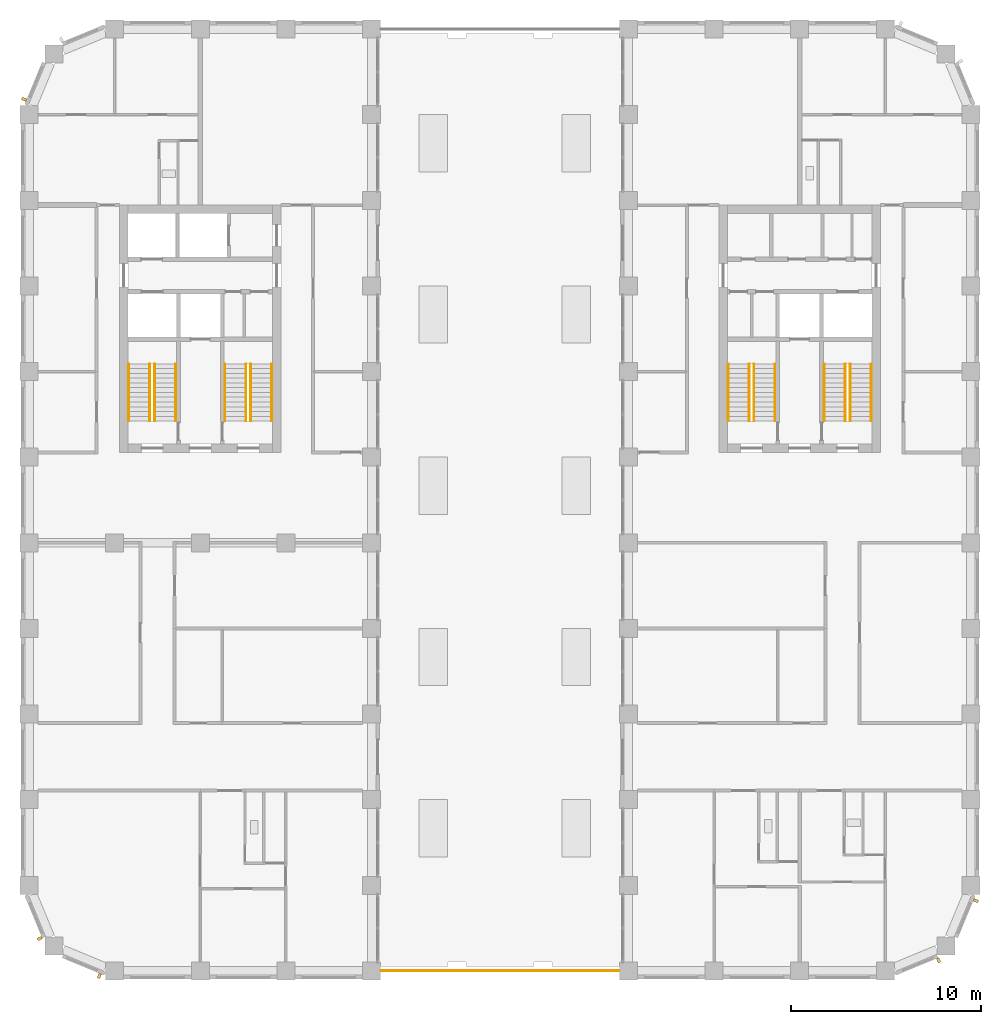
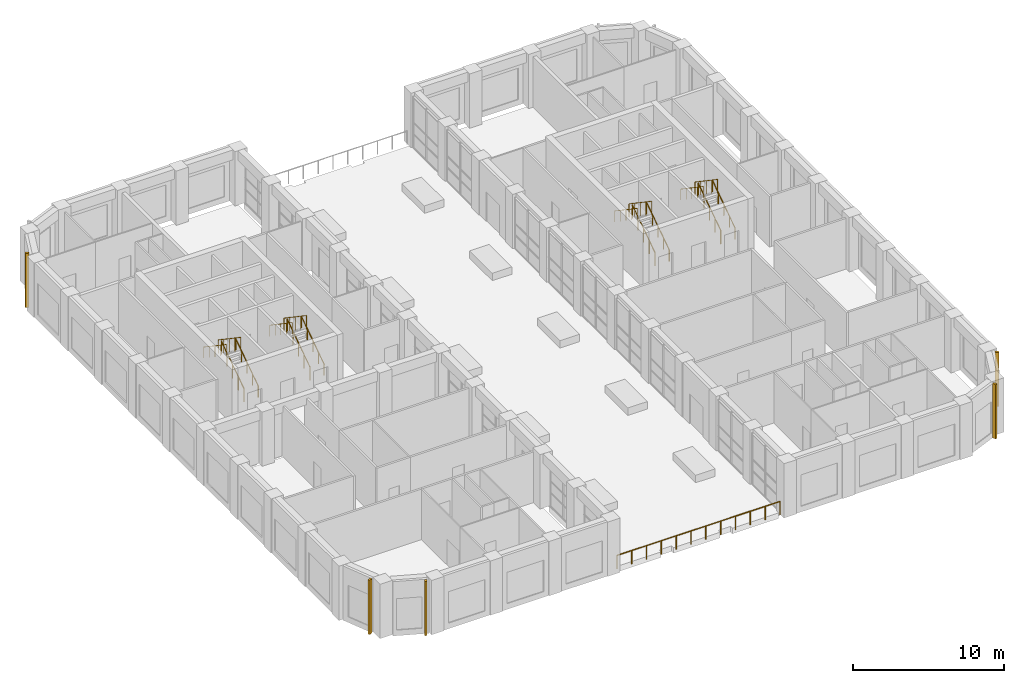
# One storey, part 17 of 20: 17 railings, 5 shading devices.
"""IFC4 building model written with IfcOpenShell, lengths in metres."""

import ifcopenshell
import ifcopenshell.guid

model = None  # the IFC model being written
_history = None  # IfcOwnerHistory: only IFC2X3 demands one
_inside = {}  # id of a spatial element -> (the spatial element, [elements in it])
_under = {}  # id of a project, library or spatial element -> (it, [spatial elements below it])
_declared = {}  # id of a project -> (the project, [libraries it declares])
_typed = {}  # id of a type object -> (the type object, [elements of that type])
_made_of = {}  # id of a material, layer set ... -> (it, [elements and type objects made of it])


def new_model(schema):
    """Start an empty IFC model of exactly this schema.

    Asked for "IFC4X3", IfcOpenShell would pick the latest addendum, in which some entities
    have other attributes; the version numbers below select the first issue.
    IFC2X3 requires an IfcOwnerHistory on every rooted entity: one is made here for all.
    """
    global model, _history
    if schema == "IFC4X3":
        model = ifcopenshell.file(schema_version=(4, 3, 0, 0))
    else:
        model = ifcopenshell.file(schema=schema)
    _inside.clear()
    _under.clear()
    _declared.clear()
    _typed.clear()
    _made_of.clear()
    _history = None
    if model.schema == "IFC2X3":
        org = make("IfcOrganization", Name="unknown")
        user = make(
            "IfcPersonAndOrganization",
            ThePerson=make("IfcPerson", FamilyName="unknown"),
            TheOrganization=org,
        )
        app = make(
            "IfcApplication",
            ApplicationDeveloper=org,
            Version="unknown",
            ApplicationFullName="unknown",
            ApplicationIdentifier="unknown",
        )
        _history = make(
            "IfcOwnerHistory",
            OwningUser=user,
            OwningApplication=app,
            ChangeAction="ADDED",
            CreationDate=0,
        )
    return model


def make(cls, **values):
    """One entity of the class cls with the attributes given. An attribute that is None is left unset."""
    return model.create_entity(
        cls, **{name: value for name, value in values.items() if value is not None}
    )


def rooted(cls, **values):
    """An entity with a GlobalId (a new one), such as an element, a storey or a relation."""
    return make(cls, GlobalId=ifcopenshell.guid.new(), OwnerHistory=_history, **values)


def si_unit(unit_type, name, prefix=None):
    """IfcSIUnit, for example si_unit("LENGTHUNIT", "METRE", prefix="MILLI")."""
    return make("IfcSIUnit", UnitType=unit_type, Prefix=prefix, Name=name)


def assignment(units):
    """IfcUnitAssignment: the units of a project."""
    return None if units is None else make("IfcUnitAssignment", Units=units)


def point(xyz):
    """IfcCartesianPoint."""
    return None if xyz is None else make("IfcCartesianPoint", Coordinates=xyz)


def direction(xyz):
    """IfcDirection."""
    return None if xyz is None else make("IfcDirection", DirectionRatios=xyz)


def frame(location, z_axis=None, x_axis=None):
    """IfcAxis2Placement3D, a coordinate frame: its origin and axes. An axis left out is left unset."""
    return make(
        "IfcAxis2Placement3D",
        Location=point(location),
        Axis=direction(z_axis),
        RefDirection=direction(x_axis),
    )


def frame_2d(location, x_axis=None):
    """IfcAxis2Placement2D, a coordinate frame in the plane: its origin and x axis."""
    return make(
        "IfcAxis2Placement2D", Location=point(location), RefDirection=direction(x_axis)
    )


def origin():
    """The frame at (0, 0, 0) with its axes left unset."""
    return frame((0.0, 0.0, 0.0))


def origin_2d():
    """The frame at (0, 0) in the plane with its x axis left unset."""
    return frame_2d((0.0, 0.0))


def place(relative_to, where):
    """IfcLocalPlacement: puts the frame where relative to a parent placement (None: the world)."""
    return make(
        "IfcLocalPlacement", PlacementRelTo=relative_to, RelativePlacement=where
    )


def context(
    kind, dimensions, precision=None, world=None, true_north=None, identifier=None
):
    """IfcGeometricRepresentationContext, for example the 3D "Model" context."""
    return make(
        "IfcGeometricRepresentationContext",
        ContextIdentifier=identifier,
        ContextType=kind,
        CoordinateSpaceDimension=dimensions,
        Precision=precision,
        WorldCoordinateSystem=world,
        TrueNorth=true_north,
    )


def subcontext(parent, identifier, kind, view, scale=None):
    """IfcGeometricRepresentationSubContext, for example "Body" below "Model"."""
    return make(
        "IfcGeometricRepresentationSubContext",
        ContextIdentifier=identifier,
        ContextType=kind,
        ParentContext=parent,
        TargetScale=scale,
        TargetView=view,
    )


def project(units=None, contexts=None):
    """IfcProject with its units and contexts."""
    return rooted(
        "IfcProject",
        Name="project",
        RepresentationContexts=contexts,
        UnitsInContext=assignment(units),
    )


def spatial(cls, under=None, at=None, **own):
    """A site, building, storey or space (cls), placed at a placement, below another one or the project."""
    s = rooted(cls, ObjectPlacement=at, **own)
    if under is not None:
        _under.setdefault(under.id(), (under, []))[1].append(s)
    return s


def profile(cls, at=None, kind="AREA", **sizes):
    """A parametric profile (cls). Its sizes go by their IFC names, for example OverallWidth=200.0."""
    return make(cls, ProfileType=kind, Position=at, **sizes)


def rectangle(**sizes):
    """IfcRectangleProfileDef."""
    return profile("IfcRectangleProfileDef", **sizes)


def circle(**sizes):
    """IfcCircleProfileDef."""
    return profile("IfcCircleProfileDef", **sizes)


def extrude(swept, where, along, depth):
    """IfcExtrudedAreaSolid: the profile swept, set in the frame where, extruded along a direction by depth."""
    return make(
        "IfcExtrudedAreaSolid",
        SweptArea=swept,
        Position=where,
        ExtrudedDirection=direction(along),
        Depth=depth,
    )


def shape(context_of_items, identifier, shape_type, items):
    """IfcShapeRepresentation: the items that make up one representation, for example the "Body"."""
    return make(
        "IfcShapeRepresentation",
        ContextOfItems=context_of_items,
        RepresentationIdentifier=identifier,
        RepresentationType=shape_type,
        Items=items,
    )


def material(Name=None, Category=None):
    """IfcMaterial."""
    return make("IfcMaterial", Name=Name, Category=Category)


def made_of(thing, what):
    """Note that an element or type object is made of a material, layer set ...; save() writes the relation."""
    if what is not None:
        _made_of.setdefault(what.id(), (what, []))[1].append(thing)
    return thing


def type_object(cls, material=None, **own):
    """A type object (cls), such as IfcWallType, which elements share."""
    return made_of(rooted(cls, **own), material)


def element(
    cls,
    number,
    at=None,
    inside=None,
    cuts=None,
    type_object=None,
    material=None,
    context=None,
    identifier="Body",
    shape_type=None,
    held_by="IfcProductDefinitionShape",
    body=None,
    shapes=None,
    **own,
):
    """One element of the class cls, such as IfcWall. Its Tag is "e" and its number.

    at: its placement. inside: the storey or other place that contains it. cuts: it is an
    opening in that element (IfcRelVoidsElement). A single representation is given by context,
    identifier, shape_type and body (its items); several are given by shapes. held_by: the class
    of the entity that holds the representations. save() writes the other relations.
    """
    e = rooted(cls, Tag="e%d" % number, ObjectPlacement=at, **own)
    if body is not None:
        shapes = [shape(context, identifier, shape_type, body)]
    if shapes is not None:
        e.Representation = make(held_by, Representations=shapes)
    if inside is not None:
        _inside.setdefault(inside.id(), (inside, []))[1].append(e)
    if cuts is not None:
        rooted(
            "IfcRelVoidsElement", RelatingBuildingElement=cuts, RelatedOpeningElement=e
        )
    if type_object is not None:
        _typed.setdefault(type_object.id(), (type_object, []))[1].append(e)
    return made_of(e, material)


def aggregate(whole, parts):
    """IfcRelAggregates: a whole, such as a stair, and the parts it consists of."""
    return rooted("IfcRelAggregates", RelatingObject=whole, RelatedObjects=parts)


def save(model, path):
    """Write the relations noted so far, then the file.

    IfcRelAggregates (storeys below a building ...), IfcRelContainedInSpatialStructure (elements
    in a storey), IfcRelDefinesByType, IfcRelAssociatesMaterial and IfcRelDeclares: one each for
    every whole, place, type object, material and project.
    """
    for whole, parts in _under.values():
        aggregate(whole, parts)
    for where, things in _inside.values():
        rooted(
            "IfcRelContainedInSpatialStructure",
            RelatedElements=things,
            RelatingStructure=where,
        )
    for kind, things in _typed.values():
        rooted("IfcRelDefinesByType", RelatedObjects=things, RelatingType=kind)
    for what, things in _made_of.values():
        rooted("IfcRelAssociatesMaterial", RelatedObjects=things, RelatingMaterial=what)
    for by, libraries in _declared.values():
        rooted("IfcRelDeclares", RelatingContext=by, RelatedDefinitions=libraries)
    model.write(path)


model = new_model("IFC4")

# Units and contexts
model_context = context("Model", 3, precision=1e-05, world=origin(), true_north=direction((0.0, 1.0)))
body_context = subcontext(model_context, "Body", "Model", "MODEL_VIEW")
ifc_project = project(units=[si_unit("LENGTHUNIT", "METRE"), si_unit("AREAUNIT", "SQUARE_METRE"), si_unit("VOLUMEUNIT", "CUBIC_METRE"), si_unit("PLANEANGLEUNIT", "RADIAN"), si_unit("MASSUNIT", "GRAM", prefix="KILO")], contexts=[model_context])

# Site, building, storey
site_placement = place(None, origin())
site = spatial("IfcSite", under=ifc_project, at=site_placement, CompositionType="ELEMENT")
building_placement = place(site_placement, origin())
building = spatial("IfcBuilding", under=site, at=building_placement, Name="Girih Gate Residences", CompositionType="ELEMENT")
storey_placement = place(building_placement, frame((0.0, 0.0, 146.199951171875)))
storey = spatial("IfcBuildingStorey", under=building, at=storey_placement, Name="L41", CompositionType="ELEMENT", Elevation=146.199951171875)

# Shading devices
ifc_material_1 = material(Name="Precast concrete C50/60", Category="concrete")
shading_device_type = type_object("IfcShadingDeviceType", Name="Corner rib 150x250", PredefinedType="USERDEFINED", material=ifc_material_1)
for number, where, z_axis, x_axis, name in (
    (1, (-0.260498046875, 45.808349609375, 0.0), (0.0, 0.0, 1.0), (-0.382683432365, -0.923879532511, 0.0), "Corner rib NW0013_0482.0"),
    (2, (0.562255859375, 1.705322265625, 0.0), (0.0, 0.0, 1.0), (0.382683432365, -0.923879532511, 0.0), "Corner rib SW0000_0045.0"),
    (3, (3.691650390625, -0.260498046875, 0.0), (0.0, 0.0, 1.0), (0.923879532511, -0.382683432365, 0.0), "Corner rib SW0013_0013.0"),
    (4, (47.794677734375, 0.562255859375, 0.0), (0.0, 0.0, 1.0), (0.923879532511, 0.382683432365, 0.0), "Corner rib SE0450_0000.0"),
    (5, (49.760498046875, 3.691650390625, 0.0), (0.0, 0.0, 1.0), (0.382683432365, 0.923879532511, 0.0), "Corner rib SE0482_0013.0"),
):
    element("IfcShadingDevice", number, at=place(storey_placement, frame(where, z_axis=z_axis, x_axis=x_axis)), inside=storey, type_object=shading_device_type, Name=name, ObjectType="FIN", PredefinedType="USERDEFINED", context=body_context, shape_type="SweptSolid", body=[
        extrude(rectangle(XDim=0.14990234375, YDim=0.25, at=origin_2d()), origin(), (0.0, 0.0, 1.0), 4.39990234375),
    ])

# Railings
ifc_material_2 = material(Name="Stainless steel", Category="steel")
railing_type_1 = type_object("IfcRailingType", Name="Stair guard 1100", PredefinedType="GUARDRAIL", material=ifc_material_2)
railing_1_placement = place(storey_placement, frame((6.60009765625, 28.89990234375, 0.169189453125)))
element("IfcRailing", 6, at=railing_1_placement, inside=storey, type_object=railing_type_1, Name="L41 ST-W1 stair guard 1", PredefinedType="GUARDRAIL", context=body_context, shape_type="SweptSolid", body=[
    extrude(circle(Radius=0.02392578125, at=origin_2d()), frame((0.0, 0.0, 1.076171875), z_axis=(0.0, 0.828110434718, 0.560564989908), x_axis=(-1.0, 0.0, 0.0)), (0.0, 0.0, 1.0), 3.622802734375),
    extrude(circle(Radius=0.02099609375, at=origin_2d()), origin(), (0.0, 0.0, 1.0), 1.052001953125),
    extrude(circle(Radius=0.02099609375, at=origin_2d()), frame((0.0, 0.75, 0.5078125)), (0.0, 0.0, 1.0), 1.052001953125),
    extrude(circle(Radius=0.02099609375, at=origin_2d()), frame((0.0, 1.5, 1.015380859375)), (0.0, 0.0, 1.0), 1.052001953125),
    extrude(circle(Radius=0.02099609375, at=origin_2d()), frame((0.0, 2.25, 1.52294921875)), (0.0, 0.0, 1.0), 1.052001953125),
    extrude(circle(Radius=0.02099609375, at=origin_2d()), frame((0.0, 3.0, 2.03076171875)), (0.0, 0.0, 1.0), 1.052001953125),
])
railing_2_placement = place(storey_placement, frame((6.35009765625, 31.89990234375, 2.369384765625)))
element("IfcRailing", 7, at=railing_2_placement, inside=storey, type_object=railing_type_1, Name="L41 ST-W1 stair guard 2", PredefinedType="GUARDRAIL", context=body_context, shape_type="SweptSolid", body=[
    extrude(circle(Radius=0.02392578125, at=origin_2d()), frame((0.0, 0.0, 1.076171875), z_axis=(0.0, -0.828110434718, 0.560564989908), x_axis=(1.0, 0.0, 0.0)), (0.0, 0.0, 1.0), 3.622802734375),
    extrude(circle(Radius=0.02099609375, at=origin_2d()), origin(), (0.0, 0.0, 1.0), 1.052001953125),
    extrude(circle(Radius=0.02099609375, at=origin_2d()), frame((0.0, -0.75, 0.5078125)), (0.0, 0.0, 1.0), 1.052001953125),
    extrude(circle(Radius=0.02099609375, at=origin_2d()), frame((0.0, -1.5, 1.015380859375)), (0.0, 0.0, 1.0), 1.052001953125),
    extrude(circle(Radius=0.02099609375, at=origin_2d()), frame((0.0, -2.25, 1.52294921875)), (0.0, 0.0, 1.0), 1.052001953125),
    extrude(circle(Radius=0.02099609375, at=origin_2d()), frame((0.0, -3.0, 2.03076171875)), (0.0, 0.0, 1.0), 1.052001953125),
])
railing_3_placement = place(storey_placement, frame((11.64990234375, 28.89990234375, 0.169189453125)))
element("IfcRailing", 8, at=railing_3_placement, inside=storey, type_object=railing_type_1, Name="L41 ST-W2 stair guard 1", PredefinedType="GUARDRAIL", context=body_context, shape_type="SweptSolid", body=[
    extrude(circle(Radius=0.02392578125, at=origin_2d()), frame((0.0, 0.0, 1.076171875), z_axis=(0.0, 0.828110434718, 0.560564989908), x_axis=(-1.0, 0.0, 0.0)), (0.0, 0.0, 1.0), 3.622802734375),
    extrude(circle(Radius=0.02099609375, at=origin_2d()), origin(), (0.0, 0.0, 1.0), 1.052001953125),
    extrude(circle(Radius=0.02099609375, at=origin_2d()), frame((0.0, 0.75, 0.5078125)), (0.0, 0.0, 1.0), 1.052001953125),
    extrude(circle(Radius=0.02099609375, at=origin_2d()), frame((0.0, 1.5, 1.015380859375)), (0.0, 0.0, 1.0), 1.052001953125),
    extrude(circle(Radius=0.02099609375, at=origin_2d()), frame((0.0, 2.25, 1.52294921875)), (0.0, 0.0, 1.0), 1.052001953125),
    extrude(circle(Radius=0.02099609375, at=origin_2d()), frame((0.0, 3.0, 2.03076171875)), (0.0, 0.0, 1.0), 1.052001953125),
])
railing_4_placement = place(storey_placement, frame((11.39990234375, 31.89990234375, 2.369384765625)))
element("IfcRailing", 9, at=railing_4_placement, inside=storey, type_object=railing_type_1, Name="L41 ST-W2 stair guard 2", PredefinedType="GUARDRAIL", context=body_context, shape_type="SweptSolid", body=[
    extrude(circle(Radius=0.02392578125, at=origin_2d()), frame((0.0, 0.0, 1.076171875), z_axis=(0.0, -0.828110434718, 0.560564989908), x_axis=(1.0, 0.0, 0.0)), (0.0, 0.0, 1.0), 3.622802734375),
    extrude(circle(Radius=0.02099609375, at=origin_2d()), origin(), (0.0, 0.0, 1.0), 1.052001953125),
    extrude(circle(Radius=0.02099609375, at=origin_2d()), frame((0.0, -0.75, 0.5078125)), (0.0, 0.0, 1.0), 1.052001953125),
    extrude(circle(Radius=0.02099609375, at=origin_2d()), frame((0.0, -1.5, 1.015380859375)), (0.0, 0.0, 1.0), 1.052001953125),
    extrude(circle(Radius=0.02099609375, at=origin_2d()), frame((0.0, -2.25, 1.52294921875)), (0.0, 0.0, 1.0), 1.052001953125),
    extrude(circle(Radius=0.02099609375, at=origin_2d()), frame((0.0, -3.0, 2.03076171875)), (0.0, 0.0, 1.0), 1.052001953125),
])
railing_5_placement = place(storey_placement, frame((43.14990234375, 28.89990234375, 0.169189453125)))
element("IfcRailing", 10, at=railing_5_placement, inside=storey, type_object=railing_type_1, Name="L41 ST-E1 stair guard 1", PredefinedType="GUARDRAIL", context=body_context, shape_type="SweptSolid", body=[
    extrude(circle(Radius=0.02392578125, at=origin_2d()), frame((0.0, 0.0, 1.076171875), z_axis=(0.0, 0.828110434718, 0.560564989908), x_axis=(-1.0, 0.0, 0.0)), (0.0, 0.0, 1.0), 3.622802734375),
    extrude(circle(Radius=0.02099609375, at=origin_2d()), origin(), (0.0, 0.0, 1.0), 1.052001953125),
    extrude(circle(Radius=0.02099609375, at=origin_2d()), frame((0.0, 0.75, 0.5078125)), (0.0, 0.0, 1.0), 1.052001953125),
    extrude(circle(Radius=0.02099609375, at=origin_2d()), frame((0.0, 1.5, 1.015380859375)), (0.0, 0.0, 1.0), 1.052001953125),
    extrude(circle(Radius=0.02099609375, at=origin_2d()), frame((0.0, 2.25, 1.52294921875)), (0.0, 0.0, 1.0), 1.052001953125),
    extrude(circle(Radius=0.02099609375, at=origin_2d()), frame((0.0, 3.0, 2.03076171875)), (0.0, 0.0, 1.0), 1.052001953125),
])
railing_6_placement = place(storey_placement, frame((42.89990234375, 31.89990234375, 2.369384765625)))
element("IfcRailing", 11, at=railing_6_placement, inside=storey, type_object=railing_type_1, Name="L41 ST-E1 stair guard 2", PredefinedType="GUARDRAIL", context=body_context, shape_type="SweptSolid", body=[
    extrude(circle(Radius=0.02392578125, at=origin_2d()), frame((0.0, 0.0, 1.076171875), z_axis=(0.0, -0.828110434718, 0.560564989908), x_axis=(1.0, 0.0, 0.0)), (0.0, 0.0, 1.0), 3.622802734375),
    extrude(circle(Radius=0.02099609375, at=origin_2d()), origin(), (0.0, 0.0, 1.0), 1.052001953125),
    extrude(circle(Radius=0.02099609375, at=origin_2d()), frame((0.0, -0.75, 0.5078125)), (0.0, 0.0, 1.0), 1.052001953125),
    extrude(circle(Radius=0.02099609375, at=origin_2d()), frame((0.0, -1.5, 1.015380859375)), (0.0, 0.0, 1.0), 1.052001953125),
    extrude(circle(Radius=0.02099609375, at=origin_2d()), frame((0.0, -2.25, 1.52294921875)), (0.0, 0.0, 1.0), 1.052001953125),
    extrude(circle(Radius=0.02099609375, at=origin_2d()), frame((0.0, -3.0, 2.03076171875)), (0.0, 0.0, 1.0), 1.052001953125),
])
railing_7_placement = place(storey_placement, frame((38.10009765625, 28.89990234375, 0.169189453125)))
element("IfcRailing", 12, at=railing_7_placement, inside=storey, type_object=railing_type_1, Name="L41 ST-E2 stair guard 1", PredefinedType="GUARDRAIL", context=body_context, shape_type="SweptSolid", body=[
    extrude(circle(Radius=0.02392578125, at=origin_2d()), frame((0.0, 0.0, 1.076171875), z_axis=(0.0, 0.828110434718, 0.560564989908), x_axis=(-1.0, 0.0, 0.0)), (0.0, 0.0, 1.0), 3.622802734375),
    extrude(circle(Radius=0.02099609375, at=origin_2d()), origin(), (0.0, 0.0, 1.0), 1.052001953125),
    extrude(circle(Radius=0.02099609375, at=origin_2d()), frame((0.0, 0.75, 0.5078125)), (0.0, 0.0, 1.0), 1.052001953125),
    extrude(circle(Radius=0.02099609375, at=origin_2d()), frame((0.0, 1.5, 1.015380859375)), (0.0, 0.0, 1.0), 1.052001953125),
    extrude(circle(Radius=0.02099609375, at=origin_2d()), frame((0.0, 2.25, 1.52294921875)), (0.0, 0.0, 1.0), 1.052001953125),
    extrude(circle(Radius=0.02099609375, at=origin_2d()), frame((0.0, 3.0, 2.03076171875)), (0.0, 0.0, 1.0), 1.052001953125),
])
railing_8_placement = place(storey_placement, frame((37.85009765625, 31.89990234375, 2.369384765625)))
element("IfcRailing", 13, at=railing_8_placement, inside=storey, type_object=railing_type_1, Name="L41 ST-E2 stair guard 2", PredefinedType="GUARDRAIL", context=body_context, shape_type="SweptSolid", body=[
    extrude(circle(Radius=0.02392578125, at=origin_2d()), frame((0.0, 0.0, 1.076171875), z_axis=(0.0, -0.828110434718, 0.560564989908), x_axis=(1.0, 0.0, 0.0)), (0.0, 0.0, 1.0), 3.622802734375),
    extrude(circle(Radius=0.02099609375, at=origin_2d()), origin(), (0.0, 0.0, 1.0), 1.052001953125),
    extrude(circle(Radius=0.02099609375, at=origin_2d()), frame((0.0, -0.75, 0.5078125)), (0.0, 0.0, 1.0), 1.052001953125),
    extrude(circle(Radius=0.02099609375, at=origin_2d()), frame((0.0, -1.5, 1.015380859375)), (0.0, 0.0, 1.0), 1.052001953125),
    extrude(circle(Radius=0.02099609375, at=origin_2d()), frame((0.0, -2.25, 1.52294921875)), (0.0, 0.0, 1.0), 1.052001953125),
    extrude(circle(Radius=0.02099609375, at=origin_2d()), frame((0.0, -3.0, 2.03076171875)), (0.0, 0.0, 1.0), 1.052001953125),
])
railing_type_2 = type_object("IfcRailingType", Name="Stair handrail 900", PredefinedType="HANDRAIL", material=ifc_material_2)
railing_9_placement = place(storey_placement, frame((7.699951171875, 28.89990234375, 0.169189453125)))
element("IfcRailing", 14, at=railing_9_placement, inside=storey, type_object=railing_type_2, Name="L41 ST-W1 stair handrail 1", PredefinedType="HANDRAIL", context=body_context, shape_type="SweptSolid", body=[
    extrude(circle(Radius=0.02392578125, at=origin_2d()), frame((0.0, 0.0, 0.8857421875), z_axis=(0.0, 0.828110434718, 0.560564989908), x_axis=(-1.0, 0.0, 0.0)), (0.0, 0.0, 1.0), 3.622802734375),
    extrude(circle(Radius=0.02099609375, at=origin_2d()), origin(), (0.0, 0.0, 1.0), 0.86181640625),
    extrude(circle(Radius=0.02099609375, at=origin_2d()), frame((0.0, 0.75, 0.5078125)), (0.0, 0.0, 1.0), 0.86181640625),
    extrude(circle(Radius=0.02099609375, at=origin_2d()), frame((0.0, 1.5, 1.015380859375)), (0.0, 0.0, 1.0), 0.86181640625),
    extrude(circle(Radius=0.02099609375, at=origin_2d()), frame((0.0, 2.25, 1.52294921875)), (0.0, 0.0, 1.0), 0.86181640625),
    extrude(circle(Radius=0.02099609375, at=origin_2d()), frame((0.0, 3.0, 2.03076171875)), (0.0, 0.0, 1.0), 0.86181640625),
])
railing_10_placement = place(storey_placement, frame((5.25, 31.89990234375, 2.369384765625)))
element("IfcRailing", 15, at=railing_10_placement, inside=storey, type_object=railing_type_2, Name="L41 ST-W1 stair handrail 2", PredefinedType="HANDRAIL", context=body_context, shape_type="SweptSolid", body=[
    extrude(circle(Radius=0.02392578125, at=origin_2d()), frame((0.0, 0.0, 0.8857421875), z_axis=(0.0, -0.828110434718, 0.560564989908), x_axis=(1.0, 0.0, 0.0)), (0.0, 0.0, 1.0), 3.622802734375),
    extrude(circle(Radius=0.02099609375, at=origin_2d()), origin(), (0.0, 0.0, 1.0), 0.86181640625),
    extrude(circle(Radius=0.02099609375, at=origin_2d()), frame((0.0, -0.75, 0.5078125)), (0.0, 0.0, 1.0), 0.86181640625),
    extrude(circle(Radius=0.02099609375, at=origin_2d()), frame((0.0, -1.5, 1.015380859375)), (0.0, 0.0, 1.0), 0.86181640625),
    extrude(circle(Radius=0.02099609375, at=origin_2d()), frame((0.0, -2.25, 1.52294921875)), (0.0, 0.0, 1.0), 0.86181640625),
    extrude(circle(Radius=0.02099609375, at=origin_2d()), frame((0.0, -3.0, 2.03076171875)), (0.0, 0.0, 1.0), 0.86181640625),
])
railing_11_placement = place(storey_placement, frame((12.75, 28.89990234375, 0.169189453125)))
element("IfcRailing", 16, at=railing_11_placement, inside=storey, type_object=railing_type_2, Name="L41 ST-W2 stair handrail 1", PredefinedType="HANDRAIL", context=body_context, shape_type="SweptSolid", body=[
    extrude(circle(Radius=0.02392578125, at=origin_2d()), frame((0.0, 0.0, 0.8857421875), z_axis=(0.0, 0.828110434718, 0.560564989908), x_axis=(-1.0, 0.0, 0.0)), (0.0, 0.0, 1.0), 3.622802734375),
    extrude(circle(Radius=0.02099609375, at=origin_2d()), origin(), (0.0, 0.0, 1.0), 0.86181640625),
    extrude(circle(Radius=0.02099609375, at=origin_2d()), frame((0.0, 0.75, 0.5078125)), (0.0, 0.0, 1.0), 0.86181640625),
    extrude(circle(Radius=0.02099609375, at=origin_2d()), frame((0.0, 1.5, 1.015380859375)), (0.0, 0.0, 1.0), 0.86181640625),
    extrude(circle(Radius=0.02099609375, at=origin_2d()), frame((0.0, 2.25, 1.52294921875)), (0.0, 0.0, 1.0), 0.86181640625),
    extrude(circle(Radius=0.02099609375, at=origin_2d()), frame((0.0, 3.0, 2.03076171875)), (0.0, 0.0, 1.0), 0.86181640625),
])
railing_12_placement = place(storey_placement, frame((10.300048828125, 31.89990234375, 2.369384765625)))
element("IfcRailing", 17, at=railing_12_placement, inside=storey, type_object=railing_type_2, Name="L41 ST-W2 stair handrail 2", PredefinedType="HANDRAIL", context=body_context, shape_type="SweptSolid", body=[
    extrude(circle(Radius=0.02392578125, at=origin_2d()), frame((0.0, 0.0, 0.8857421875), z_axis=(0.0, -0.828110434718, 0.560564989908), x_axis=(1.0, 0.0, 0.0)), (0.0, 0.0, 1.0), 3.622802734375),
    extrude(circle(Radius=0.02099609375, at=origin_2d()), origin(), (0.0, 0.0, 1.0), 0.86181640625),
    extrude(circle(Radius=0.02099609375, at=origin_2d()), frame((0.0, -0.75, 0.5078125)), (0.0, 0.0, 1.0), 0.86181640625),
    extrude(circle(Radius=0.02099609375, at=origin_2d()), frame((0.0, -1.5, 1.015380859375)), (0.0, 0.0, 1.0), 0.86181640625),
    extrude(circle(Radius=0.02099609375, at=origin_2d()), frame((0.0, -2.25, 1.52294921875)), (0.0, 0.0, 1.0), 0.86181640625),
    extrude(circle(Radius=0.02099609375, at=origin_2d()), frame((0.0, -3.0, 2.03076171875)), (0.0, 0.0, 1.0), 0.86181640625),
])
railing_13_placement = place(storey_placement, frame((44.25, 28.89990234375, 0.169189453125)))
element("IfcRailing", 18, at=railing_13_placement, inside=storey, type_object=railing_type_2, Name="L41 ST-E1 stair handrail 1", PredefinedType="HANDRAIL", context=body_context, shape_type="SweptSolid", body=[
    extrude(circle(Radius=0.02392578125, at=origin_2d()), frame((0.0, 0.0, 0.8857421875), z_axis=(0.0, 0.828110434718, 0.560564989908), x_axis=(-1.0, 0.0, 0.0)), (0.0, 0.0, 1.0), 3.622802734375),
    extrude(circle(Radius=0.02099609375, at=origin_2d()), origin(), (0.0, 0.0, 1.0), 0.86181640625),
    extrude(circle(Radius=0.02099609375, at=origin_2d()), frame((0.0, 0.75, 0.5078125)), (0.0, 0.0, 1.0), 0.86181640625),
    extrude(circle(Radius=0.02099609375, at=origin_2d()), frame((0.0, 1.5, 1.015380859375)), (0.0, 0.0, 1.0), 0.86181640625),
    extrude(circle(Radius=0.02099609375, at=origin_2d()), frame((0.0, 2.25, 1.52294921875)), (0.0, 0.0, 1.0), 0.86181640625),
    extrude(circle(Radius=0.02099609375, at=origin_2d()), frame((0.0, 3.0, 2.03076171875)), (0.0, 0.0, 1.0), 0.86181640625),
])
railing_14_placement = place(storey_placement, frame((41.800048828125, 31.89990234375, 2.369384765625)))
element("IfcRailing", 19, at=railing_14_placement, inside=storey, type_object=railing_type_2, Name="L41 ST-E1 stair handrail 2", PredefinedType="HANDRAIL", context=body_context, shape_type="SweptSolid", body=[
    extrude(circle(Radius=0.02392578125, at=origin_2d()), frame((0.0, 0.0, 0.8857421875), z_axis=(0.0, -0.828110434718, 0.560564989908), x_axis=(1.0, 0.0, 0.0)), (0.0, 0.0, 1.0), 3.622802734375),
    extrude(circle(Radius=0.02099609375, at=origin_2d()), origin(), (0.0, 0.0, 1.0), 0.86181640625),
    extrude(circle(Radius=0.02099609375, at=origin_2d()), frame((0.0, -0.75, 0.5078125)), (0.0, 0.0, 1.0), 0.86181640625),
    extrude(circle(Radius=0.02099609375, at=origin_2d()), frame((0.0, -1.5, 1.015380859375)), (0.0, 0.0, 1.0), 0.86181640625),
    extrude(circle(Radius=0.02099609375, at=origin_2d()), frame((0.0, -2.25, 1.52294921875)), (0.0, 0.0, 1.0), 0.86181640625),
    extrude(circle(Radius=0.02099609375, at=origin_2d()), frame((0.0, -3.0, 2.03076171875)), (0.0, 0.0, 1.0), 0.86181640625),
])
railing_15_placement = place(storey_placement, frame((39.199951171875, 28.89990234375, 0.169189453125)))
element("IfcRailing", 20, at=railing_15_placement, inside=storey, type_object=railing_type_2, Name="L41 ST-E2 stair handrail 1", PredefinedType="HANDRAIL", context=body_context, shape_type="SweptSolid", body=[
    extrude(circle(Radius=0.02392578125, at=origin_2d()), frame((0.0, 0.0, 0.8857421875), z_axis=(0.0, 0.828110434718, 0.560564989908), x_axis=(-1.0, 0.0, 0.0)), (0.0, 0.0, 1.0), 3.622802734375),
    extrude(circle(Radius=0.02099609375, at=origin_2d()), origin(), (0.0, 0.0, 1.0), 0.86181640625),
    extrude(circle(Radius=0.02099609375, at=origin_2d()), frame((0.0, 0.75, 0.5078125)), (0.0, 0.0, 1.0), 0.86181640625),
    extrude(circle(Radius=0.02099609375, at=origin_2d()), frame((0.0, 1.5, 1.015380859375)), (0.0, 0.0, 1.0), 0.86181640625),
    extrude(circle(Radius=0.02099609375, at=origin_2d()), frame((0.0, 2.25, 1.52294921875)), (0.0, 0.0, 1.0), 0.86181640625),
    extrude(circle(Radius=0.02099609375, at=origin_2d()), frame((0.0, 3.0, 2.03076171875)), (0.0, 0.0, 1.0), 0.86181640625),
])
railing_16_placement = place(storey_placement, frame((36.75, 31.89990234375, 2.369384765625)))
element("IfcRailing", 21, at=railing_16_placement, inside=storey, type_object=railing_type_2, Name="L41 ST-E2 stair handrail 2", PredefinedType="HANDRAIL", context=body_context, shape_type="SweptSolid", body=[
    extrude(circle(Radius=0.02392578125, at=origin_2d()), frame((0.0, 0.0, 0.8857421875), z_axis=(0.0, -0.828110434718, 0.560564989908), x_axis=(1.0, 0.0, 0.0)), (0.0, 0.0, 1.0), 3.622802734375),
    extrude(circle(Radius=0.02099609375, at=origin_2d()), origin(), (0.0, 0.0, 1.0), 0.86181640625),
    extrude(circle(Radius=0.02099609375, at=origin_2d()), frame((0.0, -0.75, 0.5078125)), (0.0, 0.0, 1.0), 0.86181640625),
    extrude(circle(Radius=0.02099609375, at=origin_2d()), frame((0.0, -1.5, 1.015380859375)), (0.0, 0.0, 1.0), 0.86181640625),
    extrude(circle(Radius=0.02099609375, at=origin_2d()), frame((0.0, -2.25, 1.52294921875)), (0.0, 0.0, 1.0), 0.86181640625),
    extrude(circle(Radius=0.02099609375, at=origin_2d()), frame((0.0, -3.0, 2.03076171875)), (0.0, 0.0, 1.0), 0.86181640625),
])
ifc_material_3 = material(Name="Stainless steel and laminated glass", Category="steel")
railing_type_3 = type_object("IfcRailingType", Name="Terrace guard 1100", PredefinedType="GUARDRAIL", material=ifc_material_3)
railing_17_placement = place(storey_placement, frame((18.5, 0.0, 0.0)))
element("IfcRailing", 22, at=railing_17_placement, inside=storey, type_object=railing_type_3, Name="Terrace guard Sky garden 2", PredefinedType="GUARDRAIL", context=body_context, shape_type="SweptSolid", body=[
    extrude(circle(Radius=0.02490234375, at=origin_2d()), frame((0.0, 0.0, 1.0751953125), z_axis=(1.0, 0.0, 0.0), x_axis=(0.0, 1.0, 0.0)), (0.0, 0.0, 1.0), 12.5),
    extrude(circle(Radius=0.02490234375, at=origin_2d()), origin(), (0.0, 0.0, 1.0), 1.050048828125),
    extrude(circle(Radius=0.02490234375, at=origin_2d()), frame((1.136474609375, 0.0, 0.0)), (0.0, 0.0, 1.0), 1.050048828125),
    extrude(circle(Radius=0.02490234375, at=origin_2d()), frame((2.272705078125, 0.0, 0.0)), (0.0, 0.0, 1.0), 1.050048828125),
    extrude(circle(Radius=0.02490234375, at=origin_2d()), frame((3.4091796875, 0.0, 0.0)), (0.0, 0.0, 1.0), 1.050048828125),
    extrude(circle(Radius=0.02490234375, at=origin_2d()), frame((4.54541015625, 0.0, 0.0)), (0.0, 0.0, 1.0), 1.050048828125),
    extrude(circle(Radius=0.02490234375, at=origin_2d()), frame((5.681884765625, 0.0, 0.0)), (0.0, 0.0, 1.0), 1.050048828125),
    extrude(circle(Radius=0.02490234375, at=origin_2d()), frame((6.818115234375, 0.0, 0.0)), (0.0, 0.0, 1.0), 1.050048828125),
    extrude(circle(Radius=0.02490234375, at=origin_2d()), frame((7.95458984375, 0.0, 0.0)), (0.0, 0.0, 1.0), 1.050048828125),
    extrude(circle(Radius=0.02490234375, at=origin_2d()), frame((9.0908203125, 0.0, 0.0)), (0.0, 0.0, 1.0), 1.050048828125),
    extrude(circle(Radius=0.02490234375, at=origin_2d()), frame((10.227294921875, 0.0, 0.0)), (0.0, 0.0, 1.0), 1.050048828125),
    extrude(circle(Radius=0.02490234375, at=origin_2d()), frame((11.363525390625, 0.0, 0.0)), (0.0, 0.0, 1.0), 1.050048828125),
    extrude(circle(Radius=0.02490234375, at=origin_2d()), frame((12.5, 0.0, 0.0)), (0.0, 0.0, 1.0), 1.050048828125),
])

save(model, "model.ifc")
